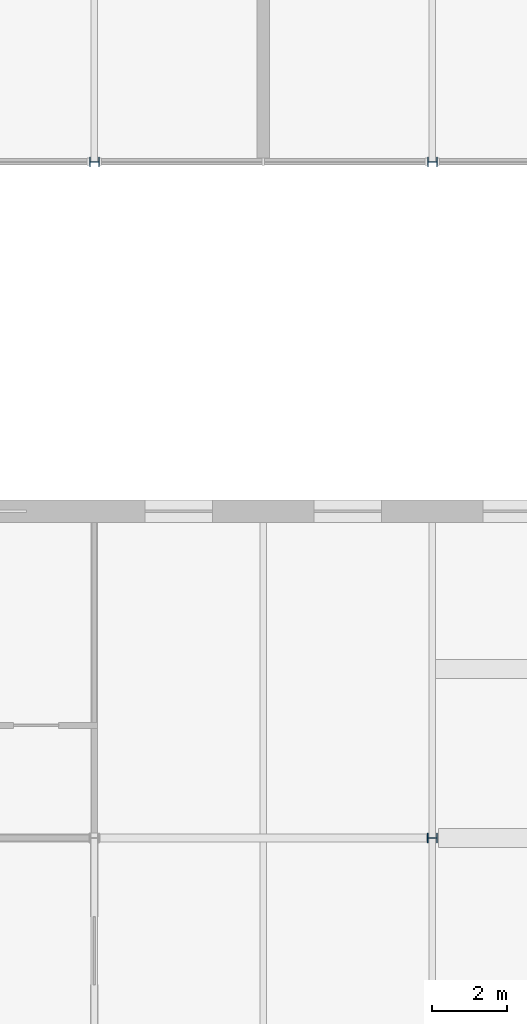
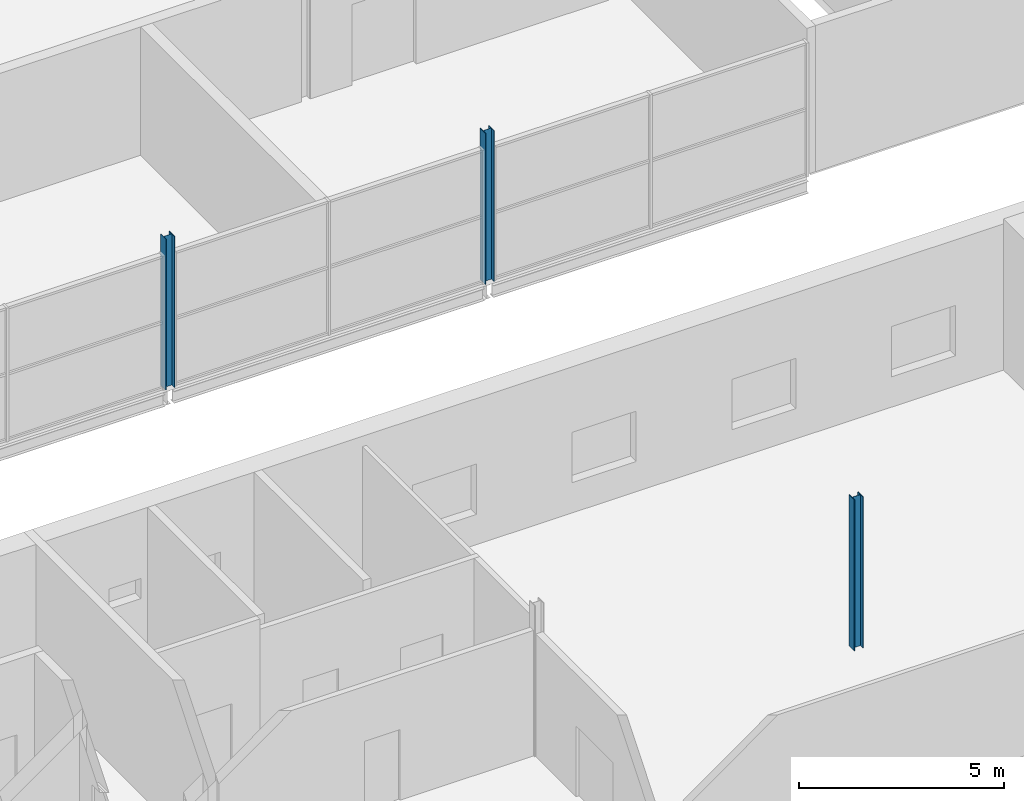
# One storey, part 17 of 138: 3 columns.
"""IFC4 building model written with IfcOpenShell, lengths in metres."""

from ifc_helpers import new_model, si_unit, direction, frame, origin, origin_2d, place, context, subcontext, project, spatial, i_section, extrude, material, material_profile, profile_set, type_object, element, save


model = new_model("IFC4")

# Units and contexts
model_context = context("Model", 3, precision=1e-05, world=origin(), true_north=direction((0.0, 1.0)))
body_context = subcontext(model_context, "Body", "Model", "MODEL_VIEW")
ifc_project = project(units=[si_unit("LENGTHUNIT", "METRE"), si_unit("AREAUNIT", "SQUARE_METRE"), si_unit("VOLUMEUNIT", "CUBIC_METRE"), si_unit("PLANEANGLEUNIT", "RADIAN"), si_unit("MASSUNIT", "GRAM", prefix="KILO")], contexts=[model_context])

# Site, building, storey
site_placement = place(None, origin())
site = spatial("IfcSite", under=ifc_project, at=site_placement, CompositionType="ELEMENT")
building_placement = place(site_placement, origin())
building = spatial("IfcBuilding", under=site, at=building_placement, Name="Corbel Yard City Hall", CompositionType="ELEMENT")
storey_placement = place(building_placement, frame((0.0, 0.0, 10.5)))
storey = spatial("IfcBuildingStorey", under=building, at=storey_placement, Name="L02", CompositionType="ELEMENT", Elevation=10.5)

# Columns
ifc_material = material(Name="Steel Grade 300 (300 MPa yield)", Category="steel")
ifc_material_profile_1 = material_profile(ifc_material, i_section(OverallWidth=0.25390625, OverallDepth=0.25390625, WebThickness=0.008544921875, FlangeThickness=0.01416015625, at=origin_2d()), Name="250UC72.9")
ifc_profile_set_1 = profile_set([ifc_material_profile_1], Name="Steel Grade 300 (300 MPa yield)")
column_type_1 = type_object("IfcColumnType", Name="Column 250UC72.9", PredefinedType="COLUMN", material=ifc_profile_set_1)
for number, where, z_axis, x_axis, name in (
    (1, (99.0, 90.0, 0.0), (0.0, 0.0, 1.0), (0.0, 1.0, 0.0), "Column 250UC72.9 K/12 L02"),
    (2, (108.0, 90.0, 0.0), (0.0, 0.0, 1.0), (0.0, 1.0, 0.0), "Column 250UC72.9 K/13 L02"),
):
    element("IfcColumn", number, at=place(storey_placement, frame(where, z_axis=z_axis, x_axis=x_axis)), inside=storey, type_object=column_type_1, Name=name, PredefinedType="COLUMN", context=body_context, shape_type="SweptSolid", body=[
        extrude(i_section(OverallWidth=0.25390625, OverallDepth=0.25390625, WebThickness=0.008544921875, FlangeThickness=0.01416015625, at=origin_2d()), origin(), (0.0, 0.0, 1.0), 4.5),
    ])
ifc_material_profile_2 = material_profile(ifc_material, i_section(OverallWidth=0.256103515625, OverallDepth=0.260009765625, WebThickness=0.010498046875, FlangeThickness=0.017333984375, at=origin_2d()), Name="250UC89.5")
ifc_profile_set_2 = profile_set([ifc_material_profile_2], Name="Steel Grade 300 (300 MPa yield)")
column_type_2 = type_object("IfcColumnType", Name="Column 250UC89.5", PredefinedType="COLUMN", material=ifc_profile_set_2)
column_placement = place(storey_placement, frame((108.0, 72.0, 0.0), z_axis=(0.0, 0.0, 1.0), x_axis=(0.0, 1.0, 0.0)))
element("IfcColumn", 3, at=column_placement, inside=storey, type_object=column_type_2, Name="Column 250UC89.5 I/13 L02", PredefinedType="COLUMN", context=body_context, shape_type="SweptSolid", body=[
    extrude(i_section(OverallWidth=0.256103515625, OverallDepth=0.260009765625, WebThickness=0.010498046875, FlangeThickness=0.017333984375, at=origin_2d()), origin(), (0.0, 0.0, 1.0), 4.5),
])

save(model, "model.ifc")
